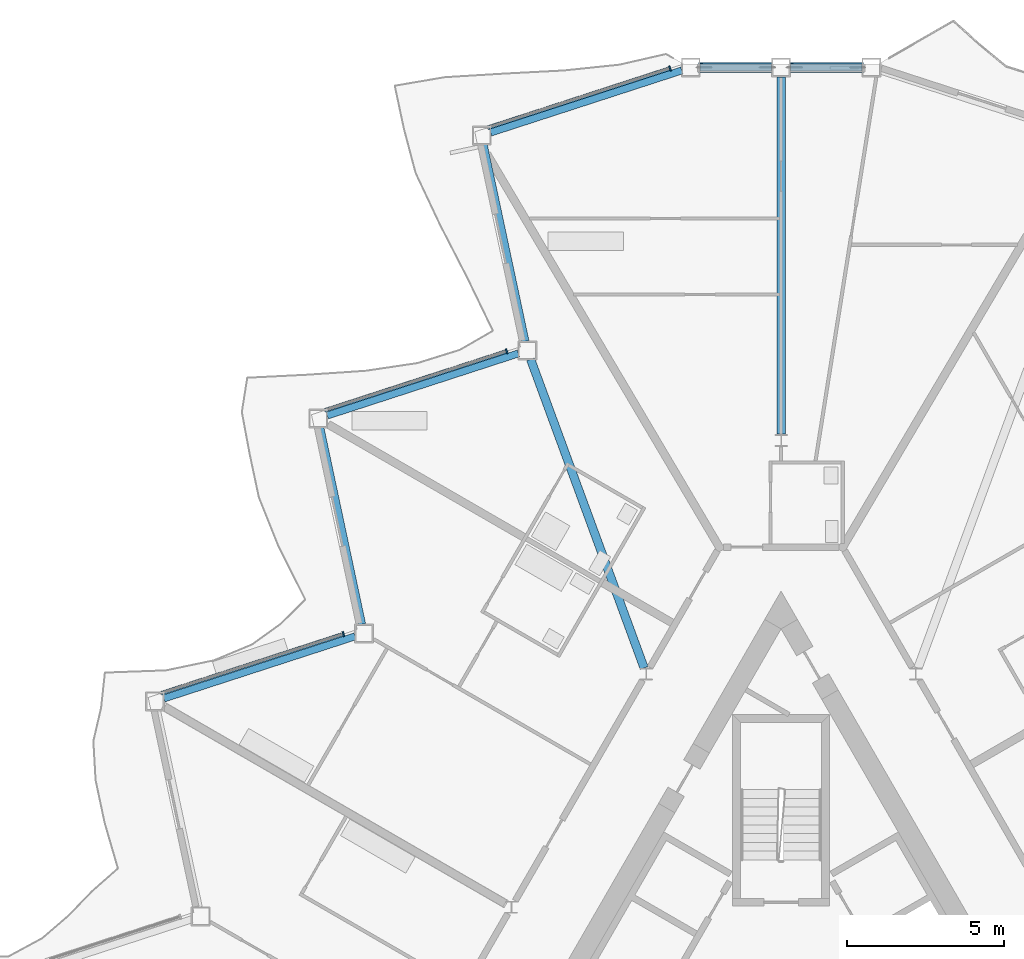
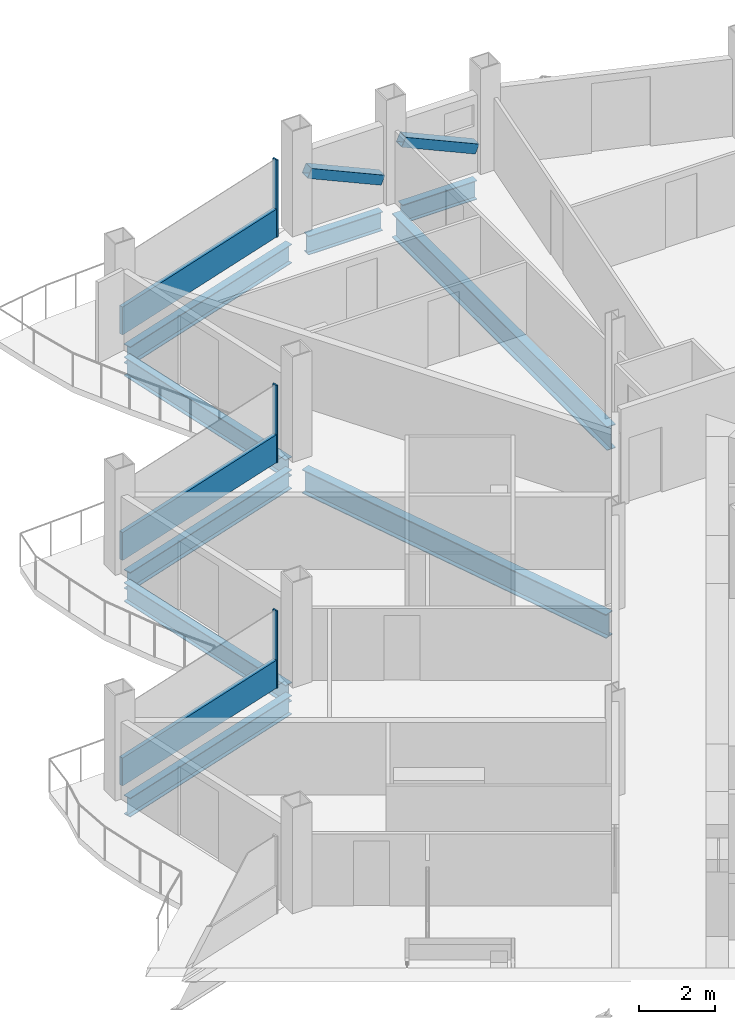
# One storey, part 10 of 27: 9 beams, 8 members, 3 elements without a shape of their own.
"""IFC4 building model written with IfcOpenShell, lengths in metres."""

from ifc_helpers import new_model, si_unit, direction, frame, origin, origin_2d, place, context, subcontext, project, spatial, rectangle, hollow_rectangle, i_section, extrude, material, layer, layer_set, material_profile, profile_set, type_object, element, aggregate, save


model = new_model("IFC4")

# Units and contexts
model_context = context("Model", 3, precision=1e-05, world=origin(), true_north=direction((0.0, 1.0)))
body_context = subcontext(model_context, "Body", "Model", "MODEL_VIEW")
ifc_project = project(units=[si_unit("LENGTHUNIT", "METRE"), si_unit("AREAUNIT", "SQUARE_METRE"), si_unit("VOLUMEUNIT", "CUBIC_METRE"), si_unit("PLANEANGLEUNIT", "RADIAN"), si_unit("MASSUNIT", "GRAM", prefix="KILO")], contexts=[model_context])

# Site, building, storey
site_placement = place(None, origin())
site = spatial("IfcSite", under=ifc_project, at=site_placement, CompositionType="ELEMENT")
building_placement = place(site_placement, origin())
building = spatial("IfcBuilding", under=site, at=building_placement, Name="Cormorant Prow Tower", CompositionType="ELEMENT")
storey_placement = place(building_placement, frame((0.0, 0.0, 335.800048828125)))
storey = spatial("IfcBuildingStorey", under=building, at=storey_placement, Name="L75", CompositionType="ELEMENT", Elevation=335.800048828125)

# Members
ifc_material_1 = material(Name="Structural steel ASTM A500 Gr C", Category="steel")
ifc_material_profile_1 = material_profile(ifc_material_1, hollow_rectangle(XDim=0.3046875, YDim=0.3046875, WallThickness=0.01171875, at=origin_2d()), Name="HSS12x12x1/2")
ifc_profile_set_1 = profile_set([ifc_material_profile_1], Name="Structural steel ASTM A500 Gr C")
member_type_1 = type_object("IfcMemberType", Name="Chamfer brace HSS12x12x1/2", PredefinedType="BRACE", material=ifc_profile_set_1)
for number, where, z_axis, x_axis, name in (
    (1, (2.55908203125, 31.676025390625, 0.740966796875), (-0.912529767993, 0.0, 0.409010296359), (0.0, -1.0, 0.0), "Chamfer brace BR3 at N00 L75"),
    (2, (-0.31494140625, 31.676025390625, 0.740966796875), (-0.912529767993, 0.0, 0.409010296359), (0.0, -1.0, 0.0), "Chamfer brace BR3 at N01 L75"),
):
    element("IfcMember", number, at=place(storey_placement, frame(where, z_axis=z_axis, x_axis=x_axis)), inside=storey, type_object=member_type_1, Name=name, PredefinedType="BRACE", context=body_context, shape_type="SweptSolid", body=[
        extrude(hollow_rectangle(XDim=0.3046875, YDim=0.3046875, WallThickness=0.01171875, at=origin_2d()), origin(), (0.0, 0.0, 1.0), 2.459228515625),
    ])

# Beams
ifc_material_2 = material(Name="Structural steel ASTM A992 Gr 50", Category="steel")
ifc_material_profile_2 = material_profile(ifc_material_2, i_section(OverallWidth=0.267822265625, OverallDepth=0.77001953125, WebThickness=0.015625, FlangeThickness=0.025390625, at=origin_2d()), Name="W30x132")
ifc_profile_set_2 = profile_set([ifc_material_profile_2], Name="Structural steel ASTM A992 Gr 50")
beam_type_1 = type_object("IfcBeamType", Name="Radial floor beam W30x132", PredefinedType="BEAM", material=ifc_profile_set_2)
beam_1_placement = place(storey_placement, frame((0.0, 20.0087890625, -0.68505859375), z_axis=(0.0, 1.0, 0.0), x_axis=(-1.0, 0.0, 0.0)))
element("IfcBeam", 3, at=beam_1_placement, inside=storey, type_object=beam_type_1, Name="Radial floor beam FB3 1 L75", PredefinedType="BEAM", context=body_context, shape_type="SweptSolid", body=[
    extrude(i_section(OverallWidth=0.267822265625, OverallDepth=0.77001953125, WebThickness=0.015625, FlangeThickness=0.025390625, at=origin_2d()), origin(), (0.0, 0.0, 1.0), 11.3671875),
])
beam_2_placement = place(storey_placement, frame((-4.357421875, 12.5673828125, -0.68505859375), z_axis=(-0.345131226703, 0.938554439739, 0.0), x_axis=(-0.938554439739, -0.345131226703, 0.0)))
element("IfcBeam", 4, at=beam_2_placement, inside=storey, type_object=beam_type_1, Name="Radial floor beam FB3 2 L75", PredefinedType="BEAM", context=body_context, shape_type="SweptSolid", body=[
    extrude(i_section(OverallWidth=0.267822265625, OverallDepth=0.77001953125, WebThickness=0.015625, FlangeThickness=0.025390625, at=origin_2d()), origin(), (0.0, 0.0, 1.0), 10.465087890625),
])

# Curtain wall, member
ifc_material_3 = material(Name="Aluminium 6063-T6", Category="aluminium")
ifc_layer = layer(ifc_material_3, 0.159912109375)
ifc_layer_set = layer_set([ifc_layer], Name="Aluminium 6063-T6")
curtain_wall_type = type_object("IfcCurtainWallType", Name="Residential unitised curtain wall 160", PredefinedType="NOTDEFINED", material=ifc_layer_set)
curtain_wall_1_placement = place(storey_placement, origin())
curtain_wall_1 = element("IfcCurtainWall", 5, at=curtain_wall_1_placement, inside=storey, type_object=curtain_wall_type, Name="Residential curtain wall WNW00", PredefinedType="NOTDEFINED")
ifc_material_4 = material(Name="Aluminium 6063-T6", Category="aluminium")
ifc_material_profile_3 = material_profile(ifc_material_4, rectangle(XDim=0.159912109375, YDim=0.050048828125, at=origin_2d()), Name="Residential mullion 50x160")
ifc_profile_set_3 = profile_set([ifc_material_profile_3], Name="Aluminium 6063-T6")
member_type_2 = type_object("IfcMemberType", Name="Residential mullion 50x160", PredefinedType="MULLION", material=ifc_profile_set_3)
member_1_placement = place(storey_placement, frame((-3.53466796875, 31.6474609375, 0.0), z_axis=(0.0, 0.0, 1.0), x_axis=(0.309016877816, -0.951056554167, 0.0)))
member_1 = element("IfcMember", 6, at=member_1_placement, type_object=member_type_2, Name="Residential mullion WNW00", PredefinedType="MULLION", context=body_context, shape_type="SweptSolid", body=[
    extrude(rectangle(XDim=0.159912109375, YDim=0.050048828125, at=origin_2d()), origin(), (0.0, 0.0, 1.0), 2.48779296875),
])

curtain_wall_2_placement = place(storey_placement, origin())
curtain_wall_2 = element("IfcCurtainWall", 7, at=curtain_wall_2_placement, inside=storey, type_object=curtain_wall_type, Name="Residential curtain wall WNW02", PredefinedType="NOTDEFINED")
member_2_placement = place(storey_placement, frame((-8.73095703125, 22.6474609375, 0.0), z_axis=(0.0, 0.0, 1.0), x_axis=(0.309017007173, -0.951056512137, 0.0)))
member_2 = element("IfcMember", 8, at=member_2_placement, type_object=member_type_2, Name="Residential mullion WNW02", PredefinedType="MULLION", context=body_context, shape_type="SweptSolid", body=[
    extrude(rectangle(XDim=0.159912109375, YDim=0.050048828125, at=origin_2d()), origin(), (0.0, 0.0, 1.0), 2.48779296875),
])

curtain_wall_3_placement = place(storey_placement, origin())
curtain_wall_3 = element("IfcCurtainWall", 9, at=curtain_wall_3_placement, inside=storey, type_object=curtain_wall_type, Name="Residential curtain wall WNW04", PredefinedType="NOTDEFINED")
member_3_placement = place(storey_placement, frame((-13.92724609375, 13.647216796875, 0.0), z_axis=(0.0, 0.0, 1.0), x_axis=(0.309017007173, -0.951056512137, 0.0)))
member_3 = element("IfcMember", 10, at=member_3_placement, type_object=member_type_2, Name="Residential mullion WNW04", PredefinedType="MULLION", context=body_context, shape_type="SweptSolid", body=[
    extrude(rectangle(XDim=0.159912109375, YDim=0.050048828125, at=origin_2d()), origin(), (0.0, 0.0, 1.0), 2.48779296875),
])

# Member
ifc_material_5 = material(Name="Terracotta", Category="masonry")
ifc_material_profile_4 = material_profile(ifc_material_5, rectangle(XDim=0.1201171875, YDim=0.89990234375, at=origin_2d()), Name="Residential terracotta spandrel rail 120x900")
ifc_profile_set_4 = profile_set([ifc_material_profile_4], Name="Terracotta")
member_type_3 = type_object("IfcMemberType", Name="Residential terracotta spandrel rail 120x900", PredefinedType="USERDEFINED", material=ifc_profile_set_4)
member_4_placement = place(storey_placement, frame((-3.558349609375, 31.639892578125, 0.449951171875), z_axis=(-0.951051493382, -0.309032452885, 0.0), x_axis=(0.309032452885, -0.951051493382, 0.0)))
member_4 = element("IfcMember", 11, at=member_4_placement, type_object=member_type_3, Name="Residential spandrel rail WNW00", ObjectType="TRANSOM", PredefinedType="USERDEFINED", context=body_context, shape_type="SweptSolid", body=[
    extrude(rectangle(XDim=0.1201171875, YDim=0.89990234375, at=origin_2d()), origin(), (0.0, 0.0, 1.0), 6.074462890625),
])

aggregate(curtain_wall_1, [member_1, member_4])

member_5_placement = place(storey_placement, frame((-8.754638671875, 22.6396484375, 0.449951171875), z_axis=(-0.951063305348, -0.308996099037, 0.0), x_axis=(0.308996099037, -0.951063305348, 0.0)))
member_5 = element("IfcMember", 12, at=member_5_placement, type_object=member_type_3, Name="Residential spandrel rail WNW02", ObjectType="TRANSOM", PredefinedType="USERDEFINED", context=body_context, shape_type="SweptSolid", body=[
    extrude(rectangle(XDim=0.1201171875, YDim=0.89990234375, at=origin_2d()), origin(), (0.0, 0.0, 1.0), 6.074462890625),
])

aggregate(curtain_wall_2, [member_2, member_5])

member_6_placement = place(storey_placement, frame((-13.950927734375, 13.639404296875, 0.449951171875), z_axis=(-0.951063305348, -0.308996099037, 0.0), x_axis=(0.308996099037, -0.951063305348, 0.0)))
member_6 = element("IfcMember", 13, at=member_6_placement, type_object=member_type_3, Name="Residential spandrel rail WNW04", ObjectType="TRANSOM", PredefinedType="USERDEFINED", context=body_context, shape_type="SweptSolid", body=[
    extrude(rectangle(XDim=0.1201171875, YDim=0.89990234375, at=origin_2d()), origin(), (0.0, 0.0, 1.0), 6.074462890625),
])

aggregate(curtain_wall_3, [member_3, member_6])

# Beams
ifc_material_6 = material(Name="Structural steel ASTM A992 Gr 50", Category="steel")
ifc_material_profile_5 = material_profile(ifc_material_6, i_section(OverallWidth=0.22900390625, OverallDepth=0.612060546875, WebThickness=0.011962890625, FlangeThickness=0.01953125, at=origin_2d()), Name="W24x84")
ifc_profile_set_5 = profile_set([ifc_material_profile_5], Name="Structural steel ASTM A992 Gr 50")
beam_type_2 = type_object("IfcBeamType", Name="Spandrel beam W24x84", PredefinedType="SPANDREL", material=ifc_profile_set_5)
for number, where, z_axis, x_axis, name in (
    (14, (2.57373046875, 31.676025390625, -0.606201171875), (-1.0, 0.0, 0.0), (0.0, -1.0, 0.0), "Spandrel beam SB3 N00-N01 L75"),
    (15, (-0.300048828125, 31.676025390625, -0.606201171875), (-1.0, 0.0, 0.0), (0.0, -1.0, 0.0), "Spandrel beam SB3 N01-WNW00 L75"),
):
    element("IfcBeam", number, at=place(storey_placement, frame(where, z_axis=z_axis, x_axis=x_axis)), inside=storey, type_object=beam_type_2, Name=name, PredefinedType="SPANDREL", context=body_context, shape_type="SweptSolid", body=[
        extrude(i_section(OverallWidth=0.22900390625, OverallDepth=0.612060546875, WebThickness=0.011962890625, FlangeThickness=0.01953125, at=origin_2d()), origin(), (0.0, 0.0, 1.0), 2.273681640625),
    ])
beam_3_placement = place(storey_placement, frame((-3.1591796875, 31.583251953125, -0.606201171875), z_axis=(-0.951064359156, -0.308992855489, 0.0), x_axis=(0.308992855489, -0.951064359156, 0.0)))
element("IfcBeam", 16, at=beam_3_placement, inside=storey, type_object=beam_type_2, Name="Spandrel beam SB3 WNW00-WNW01 L75", PredefinedType="SPANDREL", context=body_context, shape_type="SweptSolid", body=[
    extrude(i_section(OverallWidth=0.22900390625, OverallDepth=0.612060546875, WebThickness=0.011962890625, FlangeThickness=0.01953125, at=origin_2d()), origin(), (0.0, 0.0, 1.0), 6.39599609375),
])
beam_4_placement = place(storey_placement, frame((-9.465087890625, 29.220703125, -0.606201171875), z_axis=(0.20791262393, -0.978147402394, 0.0), x_axis=(0.978147402394, 0.20791262393, 0.0)))
element("IfcBeam", 17, at=beam_4_placement, inside=storey, type_object=beam_type_2, Name="Spandrel beam SB3 WNW01-WNW02 L75", PredefinedType="SPANDREL", context=body_context, shape_type="SweptSolid", body=[
    extrude(i_section(OverallWidth=0.22900390625, OverallDepth=0.612060546875, WebThickness=0.011962890625, FlangeThickness=0.01953125, at=origin_2d()), origin(), (0.0, 0.0, 1.0), 6.396240234375),
])
for number, where, z_axis, x_axis, name in (
    (18, (-8.358154296875, 22.578369140625, -0.606201171875), (-0.95105314132, -0.309027381286, 0.0), (0.309027381286, -0.95105314132, 0.0), "Spandrel beam SB3 WNW02-WNW03 L75"),
    (19, (-14.6640625, 20.215576171875, -0.606201171875), (0.207920386839, -0.978145752297, 0.0), (0.978145752297, 0.207920386839, 0.0), "Spandrel beam SB3 WNW03-WNW04 L75"),
    (20, (-13.557373046875, 13.5732421875, -0.606201171875), (-0.95105314132, -0.309027381286, 0.0), (0.309027381286, -0.95105314132, 0.0), "Spandrel beam SB3 WNW04-WNW05 L75"),
):
    element("IfcBeam", number, at=place(storey_placement, frame(where, z_axis=z_axis, x_axis=x_axis)), inside=storey, type_object=beam_type_2, Name=name, PredefinedType="SPANDREL", context=body_context, shape_type="SweptSolid", body=[
        extrude(i_section(OverallWidth=0.22900390625, OverallDepth=0.612060546875, WebThickness=0.011962890625, FlangeThickness=0.01953125, at=origin_2d()), origin(), (0.0, 0.0, 1.0), 6.39599609375),
    ])

save(model, "model.ifc")
